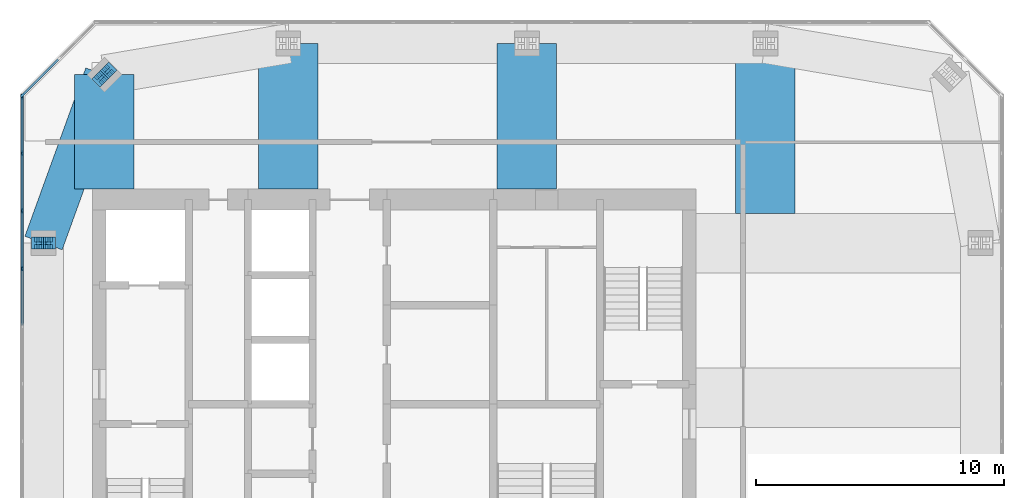
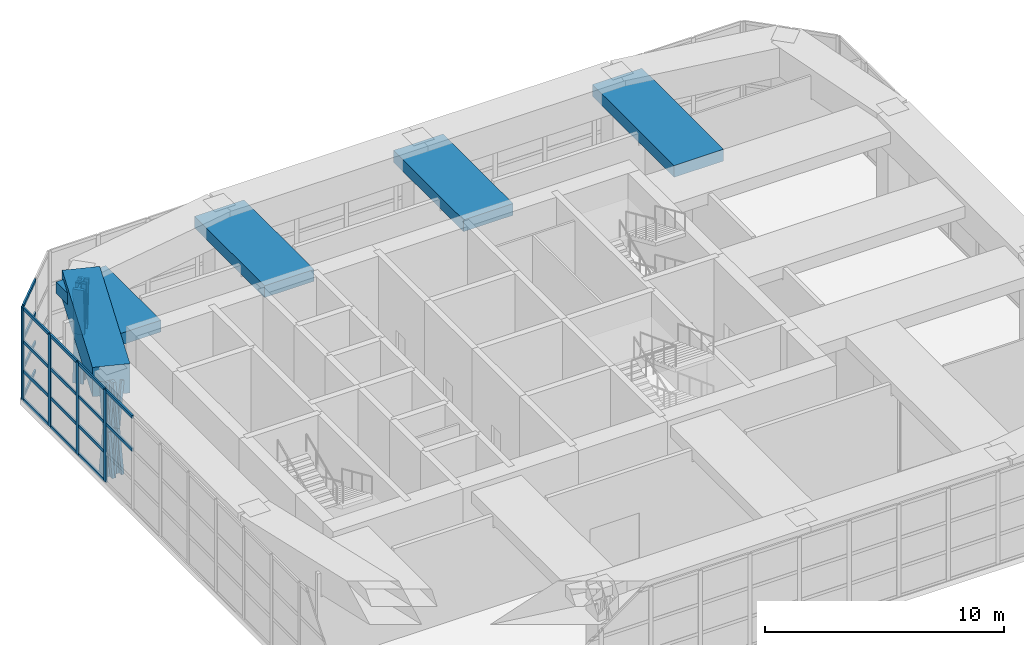
# One storey, part 4 of 14: 31 members, 5 beams, 2 elements without a shape of their own.
"""IFC4 building model written with IfcOpenShell, lengths in metres."""

import ifcopenshell
import ifcopenshell.guid

model = None  # the IFC model being written
_history = None  # IfcOwnerHistory: only IFC2X3 demands one
_inside = {}  # id of a spatial element -> (the spatial element, [elements in it])
_under = {}  # id of a project, library or spatial element -> (it, [spatial elements below it])
_declared = {}  # id of a project -> (the project, [libraries it declares])
_typed = {}  # id of a type object -> (the type object, [elements of that type])
_made_of = {}  # id of a material, layer set ... -> (it, [elements and type objects made of it])


def new_model(schema):
    """Start an empty IFC model of exactly this schema.

    Asked for "IFC4X3", IfcOpenShell would pick the latest addendum, in which some entities
    have other attributes; the version numbers below select the first issue.
    IFC2X3 requires an IfcOwnerHistory on every rooted entity: one is made here for all.
    """
    global model, _history
    if schema == "IFC4X3":
        model = ifcopenshell.file(schema_version=(4, 3, 0, 0))
    else:
        model = ifcopenshell.file(schema=schema)
    _inside.clear()
    _under.clear()
    _declared.clear()
    _typed.clear()
    _made_of.clear()
    _history = None
    if model.schema == "IFC2X3":
        org = make("IfcOrganization", Name="unknown")
        user = make(
            "IfcPersonAndOrganization",
            ThePerson=make("IfcPerson", FamilyName="unknown"),
            TheOrganization=org,
        )
        app = make(
            "IfcApplication",
            ApplicationDeveloper=org,
            Version="unknown",
            ApplicationFullName="unknown",
            ApplicationIdentifier="unknown",
        )
        _history = make(
            "IfcOwnerHistory",
            OwningUser=user,
            OwningApplication=app,
            ChangeAction="ADDED",
            CreationDate=0,
        )
    return model


def make(cls, **values):
    """One entity of the class cls with the attributes given. An attribute that is None is left unset."""
    return model.create_entity(
        cls, **{name: value for name, value in values.items() if value is not None}
    )


def rooted(cls, **values):
    """An entity with a GlobalId (a new one), such as an element, a storey or a relation."""
    return make(cls, GlobalId=ifcopenshell.guid.new(), OwnerHistory=_history, **values)


def si_unit(unit_type, name, prefix=None):
    """IfcSIUnit, for example si_unit("LENGTHUNIT", "METRE", prefix="MILLI")."""
    return make("IfcSIUnit", UnitType=unit_type, Prefix=prefix, Name=name)


def assignment(units):
    """IfcUnitAssignment: the units of a project."""
    return None if units is None else make("IfcUnitAssignment", Units=units)


def point(xyz):
    """IfcCartesianPoint."""
    return None if xyz is None else make("IfcCartesianPoint", Coordinates=xyz)


def direction(xyz):
    """IfcDirection."""
    return None if xyz is None else make("IfcDirection", DirectionRatios=xyz)


def frame(location, z_axis=None, x_axis=None):
    """IfcAxis2Placement3D, a coordinate frame: its origin and axes. An axis left out is left unset."""
    return make(
        "IfcAxis2Placement3D",
        Location=point(location),
        Axis=direction(z_axis),
        RefDirection=direction(x_axis),
    )


def frame_2d(location, x_axis=None):
    """IfcAxis2Placement2D, a coordinate frame in the plane: its origin and x axis."""
    return make(
        "IfcAxis2Placement2D", Location=point(location), RefDirection=direction(x_axis)
    )


def origin():
    """The frame at (0, 0, 0) with its axes left unset."""
    return frame((0.0, 0.0, 0.0))


def origin_2d():
    """The frame at (0, 0) in the plane with its x axis left unset."""
    return frame_2d((0.0, 0.0))


def place(relative_to, where):
    """IfcLocalPlacement: puts the frame where relative to a parent placement (None: the world)."""
    return make(
        "IfcLocalPlacement", PlacementRelTo=relative_to, RelativePlacement=where
    )


def context(
    kind, dimensions, precision=None, world=None, true_north=None, identifier=None
):
    """IfcGeometricRepresentationContext, for example the 3D "Model" context."""
    return make(
        "IfcGeometricRepresentationContext",
        ContextIdentifier=identifier,
        ContextType=kind,
        CoordinateSpaceDimension=dimensions,
        Precision=precision,
        WorldCoordinateSystem=world,
        TrueNorth=true_north,
    )


def subcontext(parent, identifier, kind, view, scale=None):
    """IfcGeometricRepresentationSubContext, for example "Body" below "Model"."""
    return make(
        "IfcGeometricRepresentationSubContext",
        ContextIdentifier=identifier,
        ContextType=kind,
        ParentContext=parent,
        TargetScale=scale,
        TargetView=view,
    )


def project(units=None, contexts=None):
    """IfcProject with its units and contexts."""
    return rooted(
        "IfcProject",
        Name="project",
        RepresentationContexts=contexts,
        UnitsInContext=assignment(units),
    )


def spatial(cls, under=None, at=None, **own):
    """A site, building, storey or space (cls), placed at a placement, below another one or the project."""
    s = rooted(cls, ObjectPlacement=at, **own)
    if under is not None:
        _under.setdefault(under.id(), (under, []))[1].append(s)
    return s


def profile(cls, at=None, kind="AREA", **sizes):
    """A parametric profile (cls). Its sizes go by their IFC names, for example OverallWidth=200.0."""
    return make(cls, ProfileType=kind, Position=at, **sizes)


def rectangle(**sizes):
    """IfcRectangleProfileDef."""
    return profile("IfcRectangleProfileDef", **sizes)


def i_section(**sizes):
    """IfcIShapeProfileDef."""
    return profile("IfcIShapeProfileDef", **sizes)


def extrude(swept, where, along, depth):
    """IfcExtrudedAreaSolid: the profile swept, set in the frame where, extruded along a direction by depth."""
    return make(
        "IfcExtrudedAreaSolid",
        SweptArea=swept,
        Position=where,
        ExtrudedDirection=direction(along),
        Depth=depth,
    )


def shape(context_of_items, identifier, shape_type, items):
    """IfcShapeRepresentation: the items that make up one representation, for example the "Body"."""
    return make(
        "IfcShapeRepresentation",
        ContextOfItems=context_of_items,
        RepresentationIdentifier=identifier,
        RepresentationType=shape_type,
        Items=items,
    )


def material(Name=None, Category=None):
    """IfcMaterial."""
    return make("IfcMaterial", Name=Name, Category=Category)


def material_profile(
    of_material, cross_section, Name=None, Category=None, Priority=None
):
    """IfcMaterialProfile: a cross section and its material."""
    return make(
        "IfcMaterialProfile",
        Name=Name,
        Material=of_material,
        Profile=cross_section,
        Priority=Priority,
        Category=Category,
    )


def profile_set(profiles, Name=None, composite=None):
    """IfcMaterialProfileSet."""
    return make(
        "IfcMaterialProfileSet",
        Name=Name,
        MaterialProfiles=profiles,
        CompositeProfile=composite,
    )


def made_of(thing, what):
    """Note that an element or type object is made of a material, layer set ...; save() writes the relation."""
    if what is not None:
        _made_of.setdefault(what.id(), (what, []))[1].append(thing)
    return thing


def type_object(cls, material=None, **own):
    """A type object (cls), such as IfcWallType, which elements share."""
    return made_of(rooted(cls, **own), material)


def element(
    cls,
    number,
    at=None,
    inside=None,
    cuts=None,
    type_object=None,
    material=None,
    context=None,
    identifier="Body",
    shape_type=None,
    held_by="IfcProductDefinitionShape",
    body=None,
    shapes=None,
    **own,
):
    """One element of the class cls, such as IfcWall. Its Tag is "e" and its number.

    at: its placement. inside: the storey or other place that contains it. cuts: it is an
    opening in that element (IfcRelVoidsElement). A single representation is given by context,
    identifier, shape_type and body (its items); several are given by shapes. held_by: the class
    of the entity that holds the representations. save() writes the other relations.
    """
    e = rooted(cls, Tag="e%d" % number, ObjectPlacement=at, **own)
    if body is not None:
        shapes = [shape(context, identifier, shape_type, body)]
    if shapes is not None:
        e.Representation = make(held_by, Representations=shapes)
    if inside is not None:
        _inside.setdefault(inside.id(), (inside, []))[1].append(e)
    if cuts is not None:
        rooted(
            "IfcRelVoidsElement", RelatingBuildingElement=cuts, RelatedOpeningElement=e
        )
    if type_object is not None:
        _typed.setdefault(type_object.id(), (type_object, []))[1].append(e)
    return made_of(e, material)


def aggregate(whole, parts):
    """IfcRelAggregates: a whole, such as a stair, and the parts it consists of."""
    return rooted("IfcRelAggregates", RelatingObject=whole, RelatedObjects=parts)


def save(model, path):
    """Write the relations noted so far, then the file.

    IfcRelAggregates (storeys below a building ...), IfcRelContainedInSpatialStructure (elements
    in a storey), IfcRelDefinesByType, IfcRelAssociatesMaterial and IfcRelDeclares: one each for
    every whole, place, type object, material and project.
    """
    for whole, parts in _under.values():
        aggregate(whole, parts)
    for where, things in _inside.values():
        rooted(
            "IfcRelContainedInSpatialStructure",
            RelatedElements=things,
            RelatingStructure=where,
        )
    for kind, things in _typed.values():
        rooted("IfcRelDefinesByType", RelatedObjects=things, RelatingType=kind)
    for what, things in _made_of.values():
        rooted("IfcRelAssociatesMaterial", RelatedObjects=things, RelatingMaterial=what)
    for by, libraries in _declared.values():
        rooted("IfcRelDeclares", RelatingContext=by, RelatedDefinitions=libraries)
    model.write(path)


model = new_model("IFC4")

# Units and contexts
model_context = context("Model", 3, precision=1e-05, world=origin(), true_north=direction((0.0, 1.0)))
body_context = subcontext(model_context, "Body", "Model", "MODEL_VIEW")
ifc_project = project(units=[si_unit("LENGTHUNIT", "METRE"), si_unit("AREAUNIT", "SQUARE_METRE"), si_unit("VOLUMEUNIT", "CUBIC_METRE"), si_unit("PLANEANGLEUNIT", "RADIAN"), si_unit("MASSUNIT", "GRAM", prefix="KILO")], contexts=[model_context])

# Site, building, storey
site_placement = place(None, origin())
site = spatial("IfcSite", under=ifc_project, at=site_placement, CompositionType="ELEMENT")
building_placement = place(site_placement, origin())
building = spatial("IfcBuilding", under=site, at=building_placement, Name="Jalousie Tower", CompositionType="ELEMENT")
storey_placement = place(building_placement, frame((0.0, 0.0, 267.75)))
storey = spatial("IfcBuildingStorey", under=building, at=storey_placement, Name="L73", CompositionType="ELEMENT", Elevation=267.75)

# Curtain wall, member
ifc_material_1 = material(Name="Aluminium curtain wall", Category="aluminium")
curtain_wall_type = type_object("IfcCurtainWallType", Name="CROWN LOUVRE WALL", PredefinedType="USERDEFINED", material=ifc_material_1)
curtain_wall_1_placement = place(storey_placement, origin())
curtain_wall_1 = element("IfcCurtainWall", 1, at=curtain_wall_1_placement, inside=storey, type_object=curtain_wall_type, Name="Crown Louvre Wall L73 6", ObjectType="CROWN LOUVRE WALL", PredefinedType="USERDEFINED")
ifc_material_2 = material(Name="Aluminium mullion", Category="aluminium")
ifc_material_profile_1 = material_profile(ifc_material_2, rectangle(XDim=0.080078125, YDim=0.199951171875, at=origin_2d()), Name="MULLION 80x200")
ifc_profile_set_1 = profile_set([ifc_material_profile_1], Name="Aluminium mullion")
member_type_1 = type_object("IfcMemberType", Name="CROWN LOUVRE WALL MULLION", PredefinedType="MULLION", material=ifc_profile_set_1)
member_1_placement = place(storey_placement, frame((16.915771484375, 30.97705078125, 0.0), z_axis=(0.0, 0.0, 1.0), x_axis=(0.707106781187, -0.707106781187, 0.0)))
member_1 = element("IfcMember", 2, at=member_1_placement, type_object=member_type_1, Name="CW-L mullion 3", PredefinedType="MULLION", context=body_context, shape_type="SweptSolid", body=[
    extrude(rectangle(XDim=0.080078125, YDim=0.199951171875, at=origin_2d()), origin(), (0.0, 0.0, 1.0), 4.719970703125),
])

# Curtain wall, members
curtain_wall_2_placement = place(storey_placement, origin())
curtain_wall_2 = element("IfcCurtainWall", 3, at=curtain_wall_2_placement, inside=storey, type_object=curtain_wall_type, Name="Crown Louvre Wall L73 7", ObjectType="CROWN LOUVRE WALL", PredefinedType="USERDEFINED")
member_2_placement = place(storey_placement, frame((16.887451171875, 30.90869140625, 0.0), z_axis=(0.0, 0.0, 1.0), x_axis=(1.0, 0.0, 0.0)))
member_2 = element("IfcMember", 4, at=member_2_placement, type_object=member_type_1, Name="CW-L mullion 1", PredefinedType="MULLION", context=body_context, shape_type="SweptSolid", body=[
    extrude(rectangle(XDim=0.080078125, YDim=0.199951171875, at=origin_2d()), origin(), (0.0, 0.0, 1.0), 4.719970703125),
])
member_3_placement = place(storey_placement, frame((16.887451171875, 28.6240234375, 0.0), z_axis=(0.0, 0.0, 1.0), x_axis=(1.0, 0.0, 0.0)))
member_3 = element("IfcMember", 5, at=member_3_placement, type_object=member_type_1, Name="CW-L mullion 2", PredefinedType="MULLION", context=body_context, shape_type="SweptSolid", body=[
    extrude(rectangle(XDim=0.080078125, YDim=0.199951171875, at=origin_2d()), origin(), (0.0, 0.0, 1.0), 4.719970703125),
])
member_4_placement = place(storey_placement, frame((16.887451171875, 26.299072265625, 0.0), z_axis=(0.0, 0.0, 1.0), x_axis=(1.0, 0.0, 0.0)))
member_4 = element("IfcMember", 6, at=member_4_placement, type_object=member_type_1, Name="CW-L mullion 3", PredefinedType="MULLION", context=body_context, shape_type="SweptSolid", body=[
    extrude(rectangle(XDim=0.080078125, YDim=0.199951171875, at=origin_2d()), origin(), (0.0, 0.0, 1.0), 4.719970703125),
])
member_5_placement = place(storey_placement, frame((16.887451171875, 23.974365234375, 0.0), z_axis=(0.0, 0.0, 1.0), x_axis=(1.0, 0.0, 0.0)))
member_5 = element("IfcMember", 7, at=member_5_placement, type_object=member_type_1, Name="CW-L mullion 4", PredefinedType="MULLION", context=body_context, shape_type="SweptSolid", body=[
    extrude(rectangle(XDim=0.080078125, YDim=0.199951171875, at=origin_2d()), origin(), (0.0, 0.0, 1.0), 4.719970703125),
])

# Member
ifc_material_3 = material(Name="Aluminium transom", Category="aluminium")
ifc_material_profile_2 = material_profile(ifc_material_3, rectangle(XDim=0.080078125, YDim=0.159912109375, at=origin_2d()), Name="TRANSOM 80x160")
ifc_profile_set_2 = profile_set([ifc_material_profile_2], Name="Aluminium transom")
member_type_2 = type_object("IfcMemberType", Name="CROWN LOUVRE WALL TRANSOM", PredefinedType="USERDEFINED", material=ifc_profile_set_2)
member_6_placement = place(storey_placement, frame((18.341064453125, 32.40234375, 0.0400390625), z_axis=(-0.707106781187, -0.707106781187, 0.0), x_axis=(0.707106781187, -0.707106781187, 0.0)))
member_6 = element("IfcMember", 8, at=member_6_placement, type_object=member_type_2, Name="CW-L transom 2.1", ObjectType="TRANSOM", PredefinedType="USERDEFINED", context=body_context, shape_type="SweptSolid", body=[
    extrude(rectangle(XDim=0.080078125, YDim=0.159912109375, at=origin_2d()), origin(), (0.0, 0.0, 1.0), 1.9755859375),
])

member_7_placement = place(storey_placement, frame((18.341064453125, 32.40234375, 1.5), z_axis=(-0.707106781187, -0.707106781187, 0.0), x_axis=(0.707106781187, -0.707106781187, 0.0)))
member_7 = element("IfcMember", 9, at=member_7_placement, type_object=member_type_2, Name="CW-L transom 2.2", ObjectType="TRANSOM", PredefinedType="USERDEFINED", context=body_context, shape_type="SweptSolid", body=[
    extrude(rectangle(XDim=0.080078125, YDim=0.159912109375, at=origin_2d()), origin(), (0.0, 0.0, 1.0), 1.9755859375),
])

member_8_placement = place(storey_placement, frame((18.341064453125, 32.40234375, 3.0), z_axis=(-0.707106781187, -0.707106781187, 0.0), x_axis=(0.707106781187, -0.707106781187, 0.0)))
member_8 = element("IfcMember", 10, at=member_8_placement, type_object=member_type_2, Name="CW-L transom 2.3", ObjectType="TRANSOM", PredefinedType="USERDEFINED", context=body_context, shape_type="SweptSolid", body=[
    extrude(rectangle(XDim=0.080078125, YDim=0.159912109375, at=origin_2d()), origin(), (0.0, 0.0, 1.0), 1.9755859375),
])

member_9_placement = place(storey_placement, frame((18.341064453125, 32.40234375, 4.679931640625), z_axis=(-0.707106781187, -0.707106781187, 0.0), x_axis=(0.707106781187, -0.707106781187, 0.0)))
member_9 = element("IfcMember", 11, at=member_9_placement, type_object=member_type_2, Name="CW-L transom 2.4", ObjectType="TRANSOM", PredefinedType="USERDEFINED", context=body_context, shape_type="SweptSolid", body=[
    extrude(rectangle(XDim=0.080078125, YDim=0.159912109375, at=origin_2d()), origin(), (0.0, 0.0, 1.0), 1.9755859375),
])

aggregate(curtain_wall_1, [member_1, member_6, member_7, member_8, member_9])

member_10_placement = place(storey_placement, frame((16.887451171875, 30.86865234375, 0.0400390625), z_axis=(0.0, -1.0, 0.0), x_axis=(1.0, 0.0, 0.0)))
member_10 = element("IfcMember", 12, at=member_10_placement, type_object=member_type_2, Name="CW-L transom 1.1", ObjectType="TRANSOM", PredefinedType="USERDEFINED", context=body_context, shape_type="SweptSolid", body=[
    extrude(rectangle(XDim=0.080078125, YDim=0.159912109375, at=origin_2d()), origin(), (0.0, 0.0, 1.0), 2.204833984375),
])

member_11_placement = place(storey_placement, frame((16.887451171875, 30.86865234375, 1.5), z_axis=(0.0, -1.0, 0.0), x_axis=(1.0, 0.0, 0.0)))
member_11 = element("IfcMember", 13, at=member_11_placement, type_object=member_type_2, Name="CW-L transom 1.2", ObjectType="TRANSOM", PredefinedType="USERDEFINED", context=body_context, shape_type="SweptSolid", body=[
    extrude(rectangle(XDim=0.080078125, YDim=0.159912109375, at=origin_2d()), origin(), (0.0, 0.0, 1.0), 2.204833984375),
])

member_12_placement = place(storey_placement, frame((16.887451171875, 30.86865234375, 3.0), z_axis=(0.0, -1.0, 0.0), x_axis=(1.0, 0.0, 0.0)))
member_12 = element("IfcMember", 14, at=member_12_placement, type_object=member_type_2, Name="CW-L transom 1.3", ObjectType="TRANSOM", PredefinedType="USERDEFINED", context=body_context, shape_type="SweptSolid", body=[
    extrude(rectangle(XDim=0.080078125, YDim=0.159912109375, at=origin_2d()), origin(), (0.0, 0.0, 1.0), 2.204833984375),
])

member_13_placement = place(storey_placement, frame((16.887451171875, 30.86865234375, 4.679931640625), z_axis=(0.0, -1.0, 0.0), x_axis=(1.0, 0.0, 0.0)))
member_13 = element("IfcMember", 15, at=member_13_placement, type_object=member_type_2, Name="CW-L transom 1.4", ObjectType="TRANSOM", PredefinedType="USERDEFINED", context=body_context, shape_type="SweptSolid", body=[
    extrude(rectangle(XDim=0.080078125, YDim=0.159912109375, at=origin_2d()), origin(), (0.0, 0.0, 1.0), 2.204833984375),
])

member_14_placement = place(storey_placement, frame((16.887451171875, 28.583984375, 0.0400390625), z_axis=(0.0, -1.0, 0.0), x_axis=(1.0, 0.0, 0.0)))
member_14 = element("IfcMember", 16, at=member_14_placement, type_object=member_type_2, Name="CW-L transom 2.1", ObjectType="TRANSOM", PredefinedType="USERDEFINED", context=body_context, shape_type="SweptSolid", body=[
    extrude(rectangle(XDim=0.080078125, YDim=0.159912109375, at=origin_2d()), origin(), (0.0, 0.0, 1.0), 2.244873046875),
])

member_15_placement = place(storey_placement, frame((16.887451171875, 28.583984375, 1.5), z_axis=(0.0, -1.0, 0.0), x_axis=(1.0, 0.0, 0.0)))
member_15 = element("IfcMember", 17, at=member_15_placement, type_object=member_type_2, Name="CW-L transom 2.2", ObjectType="TRANSOM", PredefinedType="USERDEFINED", context=body_context, shape_type="SweptSolid", body=[
    extrude(rectangle(XDim=0.080078125, YDim=0.159912109375, at=origin_2d()), origin(), (0.0, 0.0, 1.0), 2.244873046875),
])

member_16_placement = place(storey_placement, frame((16.887451171875, 28.583984375, 3.0), z_axis=(0.0, -1.0, 0.0), x_axis=(1.0, 0.0, 0.0)))
member_16 = element("IfcMember", 18, at=member_16_placement, type_object=member_type_2, Name="CW-L transom 2.3", ObjectType="TRANSOM", PredefinedType="USERDEFINED", context=body_context, shape_type="SweptSolid", body=[
    extrude(rectangle(XDim=0.080078125, YDim=0.159912109375, at=origin_2d()), origin(), (0.0, 0.0, 1.0), 2.244873046875),
])

member_17_placement = place(storey_placement, frame((16.887451171875, 28.583984375, 4.679931640625), z_axis=(0.0, -1.0, 0.0), x_axis=(1.0, 0.0, 0.0)))
member_17 = element("IfcMember", 19, at=member_17_placement, type_object=member_type_2, Name="CW-L transom 2.4", ObjectType="TRANSOM", PredefinedType="USERDEFINED", context=body_context, shape_type="SweptSolid", body=[
    extrude(rectangle(XDim=0.080078125, YDim=0.159912109375, at=origin_2d()), origin(), (0.0, 0.0, 1.0), 2.244873046875),
])

member_18_placement = place(storey_placement, frame((16.887451171875, 26.259033203125, 0.0400390625), z_axis=(0.0, -1.0, 0.0), x_axis=(1.0, 0.0, 0.0)))
member_18 = element("IfcMember", 20, at=member_18_placement, type_object=member_type_2, Name="CW-L transom 3.1", ObjectType="TRANSOM", PredefinedType="USERDEFINED", context=body_context, shape_type="SweptSolid", body=[
    extrude(rectangle(XDim=0.080078125, YDim=0.159912109375, at=origin_2d()), origin(), (0.0, 0.0, 1.0), 2.24462890625),
])

member_19_placement = place(storey_placement, frame((16.887451171875, 26.259033203125, 1.5), z_axis=(0.0, -1.0, 0.0), x_axis=(1.0, 0.0, 0.0)))
member_19 = element("IfcMember", 21, at=member_19_placement, type_object=member_type_2, Name="CW-L transom 3.2", ObjectType="TRANSOM", PredefinedType="USERDEFINED", context=body_context, shape_type="SweptSolid", body=[
    extrude(rectangle(XDim=0.080078125, YDim=0.159912109375, at=origin_2d()), origin(), (0.0, 0.0, 1.0), 2.24462890625),
])

member_20_placement = place(storey_placement, frame((16.887451171875, 26.259033203125, 3.0), z_axis=(0.0, -1.0, 0.0), x_axis=(1.0, 0.0, 0.0)))
member_20 = element("IfcMember", 22, at=member_20_placement, type_object=member_type_2, Name="CW-L transom 3.3", ObjectType="TRANSOM", PredefinedType="USERDEFINED", context=body_context, shape_type="SweptSolid", body=[
    extrude(rectangle(XDim=0.080078125, YDim=0.159912109375, at=origin_2d()), origin(), (0.0, 0.0, 1.0), 2.24462890625),
])

member_21_placement = place(storey_placement, frame((16.887451171875, 26.259033203125, 4.679931640625), z_axis=(0.0, -1.0, 0.0), x_axis=(1.0, 0.0, 0.0)))
member_21 = element("IfcMember", 23, at=member_21_placement, type_object=member_type_2, Name="CW-L transom 3.4", ObjectType="TRANSOM", PredefinedType="USERDEFINED", context=body_context, shape_type="SweptSolid", body=[
    extrude(rectangle(XDim=0.080078125, YDim=0.159912109375, at=origin_2d()), origin(), (0.0, 0.0, 1.0), 2.24462890625),
])

member_22_placement = place(storey_placement, frame((16.887451171875, 23.934326171875, 3.0), z_axis=(0.0, -1.0, 0.0), x_axis=(1.0, 0.0, 0.0)))
member_22 = element("IfcMember", 24, at=member_22_placement, type_object=member_type_2, Name="CW-L transom 4.3", ObjectType="TRANSOM", PredefinedType="USERDEFINED", context=body_context, shape_type="SweptSolid", body=[
    extrude(rectangle(XDim=0.080078125, YDim=0.159912109375, at=origin_2d()), origin(), (0.0, 0.0, 1.0), 2.244873046875),
])

member_23_placement = place(storey_placement, frame((16.887451171875, 23.934326171875, 4.679931640625), z_axis=(0.0, -1.0, 0.0), x_axis=(1.0, 0.0, 0.0)))
member_23 = element("IfcMember", 25, at=member_23_placement, type_object=member_type_2, Name="CW-L transom 4.4", ObjectType="TRANSOM", PredefinedType="USERDEFINED", context=body_context, shape_type="SweptSolid", body=[
    extrude(rectangle(XDim=0.080078125, YDim=0.159912109375, at=origin_2d()), origin(), (0.0, 0.0, 1.0), 2.244873046875),
])

aggregate(curtain_wall_2, [member_2, member_3, member_4, member_5, member_10, member_11, member_12, member_13, member_14, member_15, member_16, member_17, member_18, member_19, member_20, member_21, member_22, member_23])

# Members
ifc_material_4 = material(Name="Steel ASTM A992 Grade 50", Category="steel")
ifc_material_profile_3 = material_profile(ifc_material_4, i_section(OverallWidth=0.472412109375, OverallDepth=0.5791015625, WebThickness=0.094970703125, FlangeThickness=0.1298828125, at=origin_2d()), Name="W14X808")
ifc_profile_set_3 = profile_set([ifc_material_profile_3], Name="Steel ASTM A992 Grade 50")
member_type_3 = type_object("IfcMemberType", Name="PERIMETER BRACE W14X808", PredefinedType="BRACE", material=ifc_profile_set_3)
for number, where, z_axis, x_axis, name in (
    (26, (20.348388671875, 31.934326171875, -0.60009765625), (-0.058093491513, -0.058093491513, 0.996619432124), (0.707106781187, -0.707106781187, 0.0), "Perimeter brace 12 L73 part 1"),
    (27, (20.20703125, 31.79296875, 1.824951171875), (-0.058093491513, -0.058093491513, 0.996619432124), (0.707106781187, -0.707106781187, 0.0), "Perimeter brace 12 L73 part 2"),
    (28, (20.065673828125, 31.651611328125, -0.60009765625), (0.058093491513, 0.058093491513, 0.996619432124), (-0.707106781187, 0.707106781187, 0.0), "Perimeter brace 12 L73 part 3"),
    (29, (20.20703125, 31.79296875, 1.824951171875), (0.058093491513, 0.058093491513, 0.996619432124), (-0.707106781187, 0.707106781187, 0.0), "Perimeter brace 12 L73 part 4"),
    (30, (17.550048828125, 25.0, -0.60009765625), (0.08217357985, 0.0, 0.996618032535), (0.0, 1.0, 0.0), "Perimeter brace 13 L73 part 1"),
    (31, (17.75, 25.0, 1.824951171875), (0.08217357985, 0.0, 0.996618032535), (0.0, 1.0, 0.0), "Perimeter brace 13 L73 part 2"),
    (32, (17.949951171875, 25.0, -0.60009765625), (-0.08217357985, 0.0, 0.996618032535), (0.0, -1.0, 0.0), "Perimeter brace 13 L73 part 3"),
    (33, (17.75, 25.0, 1.824951171875), (-0.08217357985, 0.0, 0.996618032535), (0.0, -1.0, 0.0), "Perimeter brace 13 L73 part 4"),
):
    element("IfcMember", number, at=place(storey_placement, frame(where, z_axis=z_axis, x_axis=x_axis)), inside=storey, type_object=member_type_3, Name=name, PredefinedType="BRACE", context=body_context, shape_type="SweptSolid", body=[
        extrude(i_section(OverallWidth=0.472412109375, OverallDepth=0.5791015625, WebThickness=0.094970703125, FlangeThickness=0.1298828125, at=origin_2d()), origin(), (0.0, 0.0, 1.0), 2.433349609375),
    ])

# Beams
ifc_material_5 = material(Name="Concrete f'c 40 MPa", Category="concrete")
ifc_material_profile_4 = material_profile(ifc_material_5, rectangle(XDim=1.60009765625, YDim=1.5, at=origin_2d()), Name="RC 1600x1500")
ifc_profile_set_4 = profile_set([ifc_material_profile_4], Name="Concrete f'c 40 MPa")
beam_type_1 = type_object("IfcBeamType", Name="RC BEAM 1600x1500", PredefinedType="BEAM", material=ifc_profile_set_4)
beam_1_placement = place(storey_placement, frame((20.20703125, 31.79296875, 4.25), z_axis=(-0.340136081654, -0.940376225751, 0.0), x_axis=(0.940376225751, -0.340136081654, 0.0)))
element("IfcBeam", 34, at=beam_1_placement, inside=storey, type_object=beam_type_1, Name="Edge band beam 12-13 under L74", PredefinedType="BEAM", context=body_context, shape_type="SweptSolid", body=[
    extrude(rectangle(XDim=1.60009765625, YDim=1.5, at=origin_2d()), origin(), (0.0, 0.0, 1.0), 7.2236328125),
])
ifc_material_6 = material(Name="Concrete f'c 40 MPa", Category="concrete")
ifc_material_profile_5 = material_profile(ifc_material_6, rectangle(XDim=2.39990234375, YDim=0.60009765625, at=origin_2d()), Name="RC 2400x600")
ifc_profile_set_5 = profile_set([ifc_material_profile_5], Name="Concrete f'c 40 MPa")
beam_type_2 = type_object("IfcBeamType", Name="RC BEAM 2400x600", PredefinedType="BEAM", material=ifc_profile_set_5)
beam_2_placement = place(storey_placement, frame((20.20703125, 31.79296875, 4.419921875), z_axis=(0.0, -1.0, 0.0), x_axis=(1.0, 0.0, 0.0)))
element("IfcBeam", 35, at=beam_2_placement, inside=storey, type_object=beam_type_2, Name="Floor band beam under L74", PredefinedType="BEAM", context=body_context, shape_type="SweptSolid", body=[
    extrude(rectangle(XDim=2.39990234375, YDim=0.60009765625, at=origin_2d()), origin(), (0.0, 0.0, 1.0), 4.617919921875),
])
for number, where, z_axis, x_axis, name in (
    (36, (27.625, 33.050048828125, 4.419921875), (0.0, -1.0, 0.0), (1.0, 0.0, 0.0), "Floor band beam under L74"),
    (37, (37.25, 33.050048828125, 4.419921875), (0.0, -1.0, 0.0), (1.0, 0.0, 0.0), "Floor band beam under L74"),
):
    element("IfcBeam", number, at=place(storey_placement, frame(where, z_axis=z_axis, x_axis=x_axis)), inside=storey, type_object=beam_type_2, Name=name, PredefinedType="BEAM", context=body_context, shape_type="SweptSolid", body=[
        extrude(rectangle(XDim=2.39990234375, YDim=0.60009765625, at=origin_2d()), origin(), (0.0, 0.0, 1.0), 5.875),
    ])
beam_3_placement = place(storey_placement, frame((46.875, 33.050048828125, 4.419921875), z_axis=(0.0, -1.0, 0.0), x_axis=(1.0, 0.0, 0.0)))
element("IfcBeam", 38, at=beam_3_placement, inside=storey, type_object=beam_type_2, Name="Floor band beam under L74", PredefinedType="BEAM", context=body_context, shape_type="SweptSolid", body=[
    extrude(rectangle(XDim=2.39990234375, YDim=0.60009765625, at=origin_2d()), origin(), (0.0, 0.0, 1.0), 6.85009765625),
])

save(model, "model.ifc")
